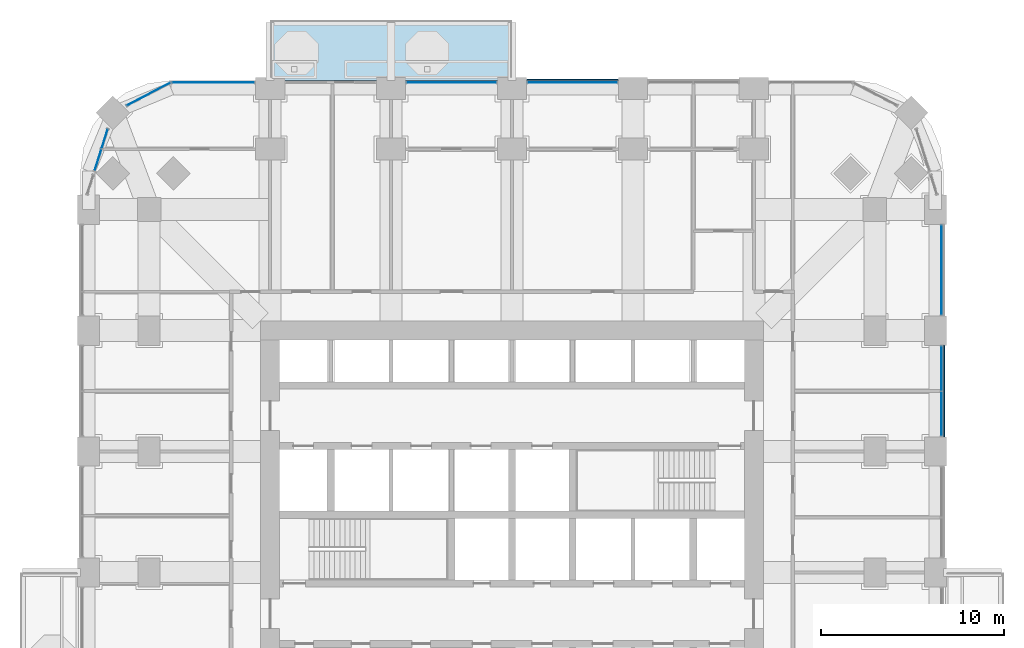
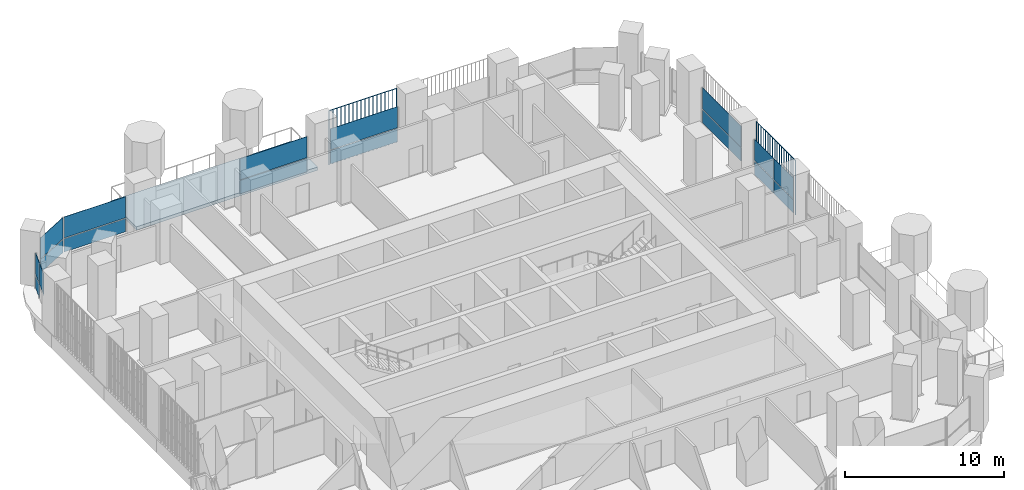
# One storey, part 11 of 21: 19 plates, 1 slab, 7 elements without a shape of their own.
"""IFC4 building model written with IfcOpenShell, lengths in metres."""

import ifcopenshell
import ifcopenshell.guid

model = None  # the IFC model being written
_history = None  # IfcOwnerHistory: only IFC2X3 demands one
_inside = {}  # id of a spatial element -> (the spatial element, [elements in it])
_under = {}  # id of a project, library or spatial element -> (it, [spatial elements below it])
_declared = {}  # id of a project -> (the project, [libraries it declares])
_typed = {}  # id of a type object -> (the type object, [elements of that type])
_made_of = {}  # id of a material, layer set ... -> (it, [elements and type objects made of it])


def new_model(schema):
    """Start an empty IFC model of exactly this schema.

    Asked for "IFC4X3", IfcOpenShell would pick the latest addendum, in which some entities
    have other attributes; the version numbers below select the first issue.
    IFC2X3 requires an IfcOwnerHistory on every rooted entity: one is made here for all.
    """
    global model, _history
    if schema == "IFC4X3":
        model = ifcopenshell.file(schema_version=(4, 3, 0, 0))
    else:
        model = ifcopenshell.file(schema=schema)
    _inside.clear()
    _under.clear()
    _declared.clear()
    _typed.clear()
    _made_of.clear()
    _history = None
    if model.schema == "IFC2X3":
        org = make("IfcOrganization", Name="unknown")
        user = make(
            "IfcPersonAndOrganization",
            ThePerson=make("IfcPerson", FamilyName="unknown"),
            TheOrganization=org,
        )
        app = make(
            "IfcApplication",
            ApplicationDeveloper=org,
            Version="unknown",
            ApplicationFullName="unknown",
            ApplicationIdentifier="unknown",
        )
        _history = make(
            "IfcOwnerHistory",
            OwningUser=user,
            OwningApplication=app,
            ChangeAction="ADDED",
            CreationDate=0,
        )
    return model


def make(cls, **values):
    """One entity of the class cls with the attributes given. An attribute that is None is left unset."""
    return model.create_entity(
        cls, **{name: value for name, value in values.items() if value is not None}
    )


def rooted(cls, **values):
    """An entity with a GlobalId (a new one), such as an element, a storey or a relation."""
    return make(cls, GlobalId=ifcopenshell.guid.new(), OwnerHistory=_history, **values)


def si_unit(unit_type, name, prefix=None):
    """IfcSIUnit, for example si_unit("LENGTHUNIT", "METRE", prefix="MILLI")."""
    return make("IfcSIUnit", UnitType=unit_type, Prefix=prefix, Name=name)


def assignment(units):
    """IfcUnitAssignment: the units of a project."""
    return None if units is None else make("IfcUnitAssignment", Units=units)


def point(xyz):
    """IfcCartesianPoint."""
    return None if xyz is None else make("IfcCartesianPoint", Coordinates=xyz)


def direction(xyz):
    """IfcDirection."""
    return None if xyz is None else make("IfcDirection", DirectionRatios=xyz)


def frame(location, z_axis=None, x_axis=None):
    """IfcAxis2Placement3D, a coordinate frame: its origin and axes. An axis left out is left unset."""
    return make(
        "IfcAxis2Placement3D",
        Location=point(location),
        Axis=direction(z_axis),
        RefDirection=direction(x_axis),
    )


def frame_2d(location, x_axis=None):
    """IfcAxis2Placement2D, a coordinate frame in the plane: its origin and x axis."""
    return make(
        "IfcAxis2Placement2D", Location=point(location), RefDirection=direction(x_axis)
    )


def origin():
    """The frame at (0, 0, 0) with its axes left unset."""
    return frame((0.0, 0.0, 0.0))


def origin_2d():
    """The frame at (0, 0) in the plane with its x axis left unset."""
    return frame_2d((0.0, 0.0))


def place(relative_to, where):
    """IfcLocalPlacement: puts the frame where relative to a parent placement (None: the world)."""
    return make(
        "IfcLocalPlacement", PlacementRelTo=relative_to, RelativePlacement=where
    )


def context(
    kind, dimensions, precision=None, world=None, true_north=None, identifier=None
):
    """IfcGeometricRepresentationContext, for example the 3D "Model" context."""
    return make(
        "IfcGeometricRepresentationContext",
        ContextIdentifier=identifier,
        ContextType=kind,
        CoordinateSpaceDimension=dimensions,
        Precision=precision,
        WorldCoordinateSystem=world,
        TrueNorth=true_north,
    )


def subcontext(parent, identifier, kind, view, scale=None):
    """IfcGeometricRepresentationSubContext, for example "Body" below "Model"."""
    return make(
        "IfcGeometricRepresentationSubContext",
        ContextIdentifier=identifier,
        ContextType=kind,
        ParentContext=parent,
        TargetScale=scale,
        TargetView=view,
    )


def project(units=None, contexts=None):
    """IfcProject with its units and contexts."""
    return rooted(
        "IfcProject",
        Name="project",
        RepresentationContexts=contexts,
        UnitsInContext=assignment(units),
    )


def spatial(cls, under=None, at=None, **own):
    """A site, building, storey or space (cls), placed at a placement, below another one or the project."""
    s = rooted(cls, ObjectPlacement=at, **own)
    if under is not None:
        _under.setdefault(under.id(), (under, []))[1].append(s)
    return s


def polyline(points):
    """IfcPolyline through the points."""
    return make("IfcPolyline", Points=[point(p) for p in points])


def profile(cls, at=None, kind="AREA", **sizes):
    """A parametric profile (cls). Its sizes go by their IFC names, for example OverallWidth=200.0."""
    return make(cls, ProfileType=kind, Position=at, **sizes)


def rectangle(**sizes):
    """IfcRectangleProfileDef."""
    return profile("IfcRectangleProfileDef", **sizes)


def outline(outer, holes=None, kind="AREA"):
    """IfcArbitraryClosedProfileDef: a profile drawn as a closed curve; with holes, ...WithVoids."""
    if holes is None:
        return make("IfcArbitraryClosedProfileDef", ProfileType=kind, OuterCurve=outer)
    return make(
        "IfcArbitraryProfileDefWithVoids",
        ProfileType=kind,
        OuterCurve=outer,
        InnerCurves=holes,
    )


def extrude(swept, where, along, depth):
    """IfcExtrudedAreaSolid: the profile swept, set in the frame where, extruded along a direction by depth."""
    return make(
        "IfcExtrudedAreaSolid",
        SweptArea=swept,
        Position=where,
        ExtrudedDirection=direction(along),
        Depth=depth,
    )


def shape(context_of_items, identifier, shape_type, items):
    """IfcShapeRepresentation: the items that make up one representation, for example the "Body"."""
    return make(
        "IfcShapeRepresentation",
        ContextOfItems=context_of_items,
        RepresentationIdentifier=identifier,
        RepresentationType=shape_type,
        Items=items,
    )


def material(Name=None, Category=None):
    """IfcMaterial."""
    return make("IfcMaterial", Name=Name, Category=Category)


def layer(
    of_material, thickness, ventilated=None, Name=None, Category=None, Priority=None
):
    """IfcMaterialLayer: one layer of a wall or slab, of a material (None: an air gap)."""
    return make(
        "IfcMaterialLayer",
        Material=of_material,
        LayerThickness=thickness,
        IsVentilated=ventilated,
        Name=Name,
        Category=Category,
        Priority=Priority,
    )


def layer_set(layers, Name=None):
    """IfcMaterialLayerSet."""
    return make("IfcMaterialLayerSet", MaterialLayers=layers, LayerSetName=Name)


def made_of(thing, what):
    """Note that an element or type object is made of a material, layer set ...; save() writes the relation."""
    if what is not None:
        _made_of.setdefault(what.id(), (what, []))[1].append(thing)
    return thing


def type_object(cls, material=None, **own):
    """A type object (cls), such as IfcWallType, which elements share."""
    return made_of(rooted(cls, **own), material)


def element(
    cls,
    number,
    at=None,
    inside=None,
    cuts=None,
    type_object=None,
    material=None,
    context=None,
    identifier="Body",
    shape_type=None,
    held_by="IfcProductDefinitionShape",
    body=None,
    shapes=None,
    **own,
):
    """One element of the class cls, such as IfcWall. Its Tag is "e" and its number.

    at: its placement. inside: the storey or other place that contains it. cuts: it is an
    opening in that element (IfcRelVoidsElement). A single representation is given by context,
    identifier, shape_type and body (its items); several are given by shapes. held_by: the class
    of the entity that holds the representations. save() writes the other relations.
    """
    e = rooted(cls, Tag="e%d" % number, ObjectPlacement=at, **own)
    if body is not None:
        shapes = [shape(context, identifier, shape_type, body)]
    if shapes is not None:
        e.Representation = make(held_by, Representations=shapes)
    if inside is not None:
        _inside.setdefault(inside.id(), (inside, []))[1].append(e)
    if cuts is not None:
        rooted(
            "IfcRelVoidsElement", RelatingBuildingElement=cuts, RelatedOpeningElement=e
        )
    if type_object is not None:
        _typed.setdefault(type_object.id(), (type_object, []))[1].append(e)
    return made_of(e, material)


def aggregate(whole, parts):
    """IfcRelAggregates: a whole, such as a stair, and the parts it consists of."""
    return rooted("IfcRelAggregates", RelatingObject=whole, RelatedObjects=parts)


def save(model, path):
    """Write the relations noted so far, then the file.

    IfcRelAggregates (storeys below a building ...), IfcRelContainedInSpatialStructure (elements
    in a storey), IfcRelDefinesByType, IfcRelAssociatesMaterial and IfcRelDeclares: one each for
    every whole, place, type object, material and project.
    """
    for whole, parts in _under.values():
        aggregate(whole, parts)
    for where, things in _inside.values():
        rooted(
            "IfcRelContainedInSpatialStructure",
            RelatedElements=things,
            RelatingStructure=where,
        )
    for kind, things in _typed.values():
        rooted("IfcRelDefinesByType", RelatedObjects=things, RelatingType=kind)
    for what, things in _made_of.values():
        rooted("IfcRelAssociatesMaterial", RelatedObjects=things, RelatingMaterial=what)
    for by, libraries in _declared.values():
        rooted("IfcRelDeclares", RelatingContext=by, RelatedDefinitions=libraries)
    model.write(path)


model = new_model("IFC4")

# Units and contexts
model_context = context("Model", 3, precision=1e-05, world=origin(), true_north=direction((0.0, 1.0)))
body_context = subcontext(model_context, "Body", "Model", "MODEL_VIEW")
ifc_project = project(units=[si_unit("LENGTHUNIT", "METRE"), si_unit("AREAUNIT", "SQUARE_METRE"), si_unit("VOLUMEUNIT", "CUBIC_METRE"), si_unit("PLANEANGLEUNIT", "RADIAN"), si_unit("MASSUNIT", "GRAM", prefix="KILO")], contexts=[model_context])

# Site, building, storey
site_placement = place(None, origin())
site = spatial("IfcSite", under=ifc_project, at=site_placement, CompositionType="ELEMENT")
building_placement = place(site_placement, origin())
building = spatial("IfcBuilding", under=site, at=building_placement, Name="Cobogo Forest Laboratory Tower", CompositionType="ELEMENT")
storey_placement = place(building_placement, frame((0.0, 0.0, 107.39990234375)))
storey = spatial("IfcBuildingStorey", under=building, at=storey_placement, Name="L24", CompositionType="ELEMENT", Elevation=107.39990234375)

# Slab
ifc_material_1 = material(Name="Concrete HA-40 (C40/50)", Category="concrete")
ifc_layer_1 = layer(ifc_material_1, 0.25)
ifc_layer_set_1 = layer_set([ifc_layer_1], Name="Balcony slab 250")
slab_type = type_object("IfcSlabType", Name="Balcony slab 250", PredefinedType="FLOOR", material=ifc_layer_set_1)
slab_placement = place(storey_placement, frame((0.0, 0.0, -0.25)))
element("IfcSlab", 1, at=slab_placement, inside=storey, type_object=slab_type, Name="Balcony BAL-N1 L24", PredefinedType="FLOOR", context=body_context, shape_type="SweptSolid", body=[
    extrude(outline(polyline([(13.199951171875, 46.64990234375), (26.39990234375, 46.64990234375), (26.39990234375, 49.949951171875), (13.199951171875, 49.949951171875), (13.199951171875, 46.64990234375)])), origin(), (0.0, 0.0, 1.0), 0.25),
])

# Curtain wall, plates
ifc_material_2 = material(Name="Aluminium curtain wall", Category="aluminium")
curtain_wall_type = type_object("IfcCurtainWallType", Name="CW-1 unitised curtain wall, clear glazing, laboratory floors zones A and B", PredefinedType="USERDEFINED", material=ifc_material_2)
curtain_wall_1_placement = place(storey_placement, origin())
curtain_wall_1 = element("IfcCurtainWall", 2, at=curtain_wall_1_placement, inside=storey, type_object=curtain_wall_type, Name="Curtain wall 13 L24", ObjectType="UNITISED CURTAIN WALL", PredefinedType="USERDEFINED")
ifc_material_3 = material(Name="Clear insulated glass", Category="glass")
ifc_layer_2 = layer(ifc_material_3, 0.028076171875)
ifc_layer_set_2 = layer_set([ifc_layer_2], Name="GP-1 clear insulated glass unit 28")
plate_type_1 = type_object("IfcPlateType", Name="GP-1 clear insulated glass unit 28", PredefinedType="CURTAIN_PANEL", material=ifc_layer_set_2)
plate_1_placement = place(storey_placement, frame((49.85009765625, 28.465087890625, 0.0), z_axis=(0.0, 0.0, 1.0), x_axis=(0.0, 1.0, 0.0)))
plate_1 = element("IfcPlate", 3, at=plate_1_placement, type_object=plate_type_1, Name="CW-1 panel 1.1", PredefinedType="CURTAIN_PANEL", context=body_context, shape_type="SweptSolid", body=[
    extrude(rectangle(XDim=2.409912109375, YDim=0.028076171875, at=origin_2d()), origin(), (0.0, 0.0, 1.0), 1.02001953125),
])
plate_2_placement = place(storey_placement, frame((49.85009765625, 28.465087890625, 1.080078125), z_axis=(0.0, 0.0, 1.0), x_axis=(0.0, 1.0, 0.0)))
plate_2 = element("IfcPlate", 4, at=plate_2_placement, type_object=plate_type_1, Name="CW-1 panel 1.2", PredefinedType="CURTAIN_PANEL", context=body_context, shape_type="SweptSolid", body=[
    extrude(rectangle(XDim=2.409912109375, YDim=0.028076171875, at=origin_2d()), origin(), (0.0, 0.0, 1.0), 1.6201171875),
])
plate_3_placement = place(storey_placement, frame((49.85009765625, 30.93505859375, 0.0), z_axis=(0.0, 0.0, 1.0), x_axis=(0.0, 1.0, 0.0)))
plate_3 = element("IfcPlate", 5, at=plate_3_placement, type_object=plate_type_1, Name="CW-1 panel 2.1", PredefinedType="CURTAIN_PANEL", context=body_context, shape_type="SweptSolid", body=[
    extrude(rectangle(XDim=2.409912109375, YDim=0.028076171875, at=origin_2d()), origin(), (0.0, 0.0, 1.0), 1.02001953125),
])
plate_4_placement = place(storey_placement, frame((49.85009765625, 30.93505859375, 1.080078125), z_axis=(0.0, 0.0, 1.0), x_axis=(0.0, 1.0, 0.0)))
plate_4 = element("IfcPlate", 6, at=plate_4_placement, type_object=plate_type_1, Name="CW-1 panel 2.2", PredefinedType="CURTAIN_PANEL", context=body_context, shape_type="SweptSolid", body=[
    extrude(rectangle(XDim=2.409912109375, YDim=0.028076171875, at=origin_2d()), origin(), (0.0, 0.0, 1.0), 1.6201171875),
])
aggregate(curtain_wall_1, [plate_1, plate_2, plate_3, plate_4])

curtain_wall_2_placement = place(storey_placement, origin())
curtain_wall_2 = element("IfcCurtainWall", 7, at=curtain_wall_2_placement, inside=storey, type_object=curtain_wall_type, Name="Curtain wall 14 L24", ObjectType="UNITISED CURTAIN WALL", PredefinedType="USERDEFINED")
plate_5_placement = place(storey_placement, frame((49.85009765625, 36.300048828125, 0.0), z_axis=(0.0, 0.0, 1.0), x_axis=(0.0, 1.0, 0.0)))
plate_5 = element("IfcPlate", 8, at=plate_5_placement, type_object=plate_type_1, Name="CW-1 panel 1.1", PredefinedType="CURTAIN_PANEL", context=body_context, shape_type="SweptSolid", body=[
    extrude(rectangle(XDim=4.8798828125, YDim=0.028076171875, at=origin_2d()), origin(), (0.0, 0.0, 1.0), 1.02001953125),
])
plate_6_placement = place(storey_placement, frame((49.85009765625, 36.300048828125, 1.080078125), z_axis=(0.0, 0.0, 1.0), x_axis=(0.0, 1.0, 0.0)))
plate_6 = element("IfcPlate", 9, at=plate_6_placement, type_object=plate_type_1, Name="CW-1 panel 1.2", PredefinedType="CURTAIN_PANEL", context=body_context, shape_type="SweptSolid", body=[
    extrude(rectangle(XDim=4.8798828125, YDim=0.028076171875, at=origin_2d()), origin(), (0.0, 0.0, 1.0), 1.6201171875),
])
aggregate(curtain_wall_2, [plate_5, plate_6])

curtain_wall_3_placement = place(storey_placement, origin())
curtain_wall_3 = element("IfcCurtainWall", 10, at=curtain_wall_3_placement, inside=storey, type_object=curtain_wall_type, Name="Curtain wall 20 L24", ObjectType="UNITISED CURTAIN WALL", PredefinedType="USERDEFINED")
plate_7_placement = place(storey_placement, frame((29.699951171875, 46.550048828125, 0.0), z_axis=(0.0, 0.0, 1.0), x_axis=(-1.0, 0.0, 0.0)))
plate_7 = element("IfcPlate", 11, at=plate_7_placement, type_object=plate_type_1, Name="CW-1 panel 1.1", PredefinedType="CURTAIN_PANEL", context=body_context, shape_type="SweptSolid", body=[
    extrude(rectangle(XDim=4.8798828125, YDim=0.028076171875, at=origin_2d()), origin(), (0.0, 0.0, 1.0), 1.02001953125),
])
plate_8_placement = place(storey_placement, frame((29.699951171875, 46.550048828125, 1.080078125), z_axis=(0.0, 0.0, 1.0), x_axis=(-1.0, 0.0, 0.0)))
plate_8 = element("IfcPlate", 12, at=plate_8_placement, type_object=plate_type_1, Name="CW-1 panel 1.2", PredefinedType="CURTAIN_PANEL", context=body_context, shape_type="SweptSolid", body=[
    extrude(rectangle(XDim=4.8798828125, YDim=0.028076171875, at=origin_2d()), origin(), (0.0, 0.0, 1.0), 1.6201171875),
])
aggregate(curtain_wall_3, [plate_7, plate_8])

curtain_wall_4_placement = place(storey_placement, origin())
curtain_wall_4 = element("IfcCurtainWall", 13, at=curtain_wall_4_placement, inside=storey, type_object=curtain_wall_type, Name="Curtain wall 21 L24", ObjectType="UNITISED CURTAIN WALL", PredefinedType="USERDEFINED")
plate_9_placement = place(storey_placement, frame((23.10009765625, 46.550048828125, 0.0), z_axis=(0.0, 0.0, 1.0), x_axis=(-1.0, 0.0, 0.0)))
plate_9 = element("IfcPlate", 14, at=plate_9_placement, type_object=plate_type_1, Name="CW-1 panel 1.1", PredefinedType="CURTAIN_PANEL", context=body_context, shape_type="SweptSolid", body=[
    extrude(rectangle(XDim=4.8798828125, YDim=0.028076171875, at=origin_2d()), origin(), (0.0, 0.0, 1.0), 1.02001953125),
])
plate_10_placement = place(storey_placement, frame((23.10009765625, 46.550048828125, 1.080078125), z_axis=(0.0, 0.0, 1.0), x_axis=(-1.0, 0.0, 0.0)))
plate_10 = element("IfcPlate", 15, at=plate_10_placement, type_object=plate_type_1, Name="CW-1 panel 1.2", PredefinedType="CURTAIN_PANEL", context=body_context, shape_type="SweptSolid", body=[
    extrude(rectangle(XDim=4.8798828125, YDim=0.028076171875, at=origin_2d()), origin(), (0.0, 0.0, 1.0), 1.6201171875),
])
aggregate(curtain_wall_4, [plate_9, plate_10])

curtain_wall_5_placement = place(storey_placement, origin())
curtain_wall_5 = element("IfcCurtainWall", 16, at=curtain_wall_5_placement, inside=storey, type_object=curtain_wall_type, Name="Curtain wall 23 L24", ObjectType="UNITISED CURTAIN WALL", PredefinedType="USERDEFINED")
plate_11_placement = place(storey_placement, frame((10.10009765625, 46.550048828125, 0.0), z_axis=(0.0, 0.0, 1.0), x_axis=(-1.0, 0.0, 0.0)))
plate_11 = element("IfcPlate", 17, at=plate_11_placement, type_object=plate_type_1, Name="CW-1 panel 1.1", PredefinedType="CURTAIN_PANEL", context=body_context, shape_type="SweptSolid", body=[
    extrude(rectangle(XDim=4.47998046875, YDim=0.028076171875, at=origin_2d()), origin(), (0.0, 0.0, 1.0), 1.02001953125),
])
plate_12_placement = place(storey_placement, frame((10.10009765625, 46.550048828125, 1.080078125), z_axis=(0.0, 0.0, 1.0), x_axis=(-1.0, 0.0, 0.0)))
plate_12 = element("IfcPlate", 18, at=plate_12_placement, type_object=plate_type_1, Name="CW-1 panel 1.2", PredefinedType="CURTAIN_PANEL", context=body_context, shape_type="SweptSolid", body=[
    extrude(rectangle(XDim=4.47998046875, YDim=0.028076171875, at=origin_2d()), origin(), (0.0, 0.0, 1.0), 1.6201171875),
])
aggregate(curtain_wall_5, [plate_11, plate_12])

curtain_wall_6_placement = place(storey_placement, origin())
curtain_wall_6 = element("IfcCurtainWall", 19, at=curtain_wall_6_placement, inside=storey, type_object=curtain_wall_type, Name="Curtain wall 24 L24", ObjectType="UNITISED CURTAIN WALL", PredefinedType="USERDEFINED")
plate_13_placement = place(storey_placement, frame((6.57080078125, 45.90576171875, 0.0), z_axis=(0.0, 0.0, 1.0), x_axis=(-0.885686547075, -0.464283685186, 0.0)))
plate_13 = element("IfcPlate", 20, at=plate_13_placement, type_object=plate_type_1, Name="CW-1 panel 1.1", PredefinedType="CURTAIN_PANEL", context=body_context, shape_type="SweptSolid", body=[
    extrude(rectangle(XDim=2.655517578125, YDim=0.028076171875, at=origin_2d()), origin(), (0.0, 0.0, 1.0), 1.02001953125),
])
plate_14_placement = place(storey_placement, frame((6.57080078125, 45.90576171875, 1.080078125), z_axis=(0.0, 0.0, 1.0), x_axis=(-0.885686547075, -0.464283685186, 0.0)))
plate_14 = element("IfcPlate", 21, at=plate_14_placement, type_object=plate_type_1, Name="CW-1 panel 1.2", PredefinedType="CURTAIN_PANEL", context=body_context, shape_type="SweptSolid", body=[
    extrude(rectangle(XDim=2.655517578125, YDim=0.028076171875, at=origin_2d()), origin(), (0.0, 0.0, 1.0), 1.6201171875),
])
aggregate(curtain_wall_6, [plate_13, plate_14])

curtain_wall_7_placement = place(storey_placement, origin())
curtain_wall_7 = element("IfcCurtainWall", 22, at=curtain_wall_7_placement, inside=storey, type_object=curtain_wall_type, Name="Curtain wall 25 L24", ObjectType="UNITISED CURTAIN WALL", PredefinedType="USERDEFINED")
plate_15_placement = place(storey_placement, frame((4.171875, 43.469482421875, 0.0), z_axis=(0.0, 0.0, 1.0), x_axis=(-0.301135291996, -0.953581425949, 0.0)))
plate_15 = element("IfcPlate", 23, at=plate_15_placement, type_object=plate_type_1, Name="CW-1 panel 1.1", PredefinedType="CURTAIN_PANEL", context=body_context, shape_type="SweptSolid", body=[
    extrude(rectangle(XDim=1.083984375, YDim=0.028076171875, at=origin_2d()), origin(), (0.0, 0.0, 1.0), 1.02001953125),
])
plate_16_placement = place(storey_placement, frame((4.171875, 43.469482421875, 1.080078125), z_axis=(0.0, 0.0, 1.0), x_axis=(-0.301135291996, -0.953581425949, 0.0)))
plate_16 = element("IfcPlate", 24, at=plate_16_placement, type_object=plate_type_1, Name="CW-1 panel 1.2", PredefinedType="CURTAIN_PANEL", context=body_context, shape_type="SweptSolid", body=[
    extrude(rectangle(XDim=1.083984375, YDim=0.028076171875, at=origin_2d()), origin(), (0.0, 0.0, 1.0), 1.6201171875),
])
plate_17_placement = place(storey_placement, frame((3.806396484375, 42.31201171875, 1.080078125), z_axis=(0.0, 0.0, 1.0), x_axis=(-0.301135291996, -0.953581425949, 0.0)))
plate_17 = element("IfcPlate", 25, at=plate_17_placement, type_object=plate_type_1, Name="CW-1 panel 2.2", PredefinedType="CURTAIN_PANEL", context=body_context, shape_type="SweptSolid", body=[
    extrude(rectangle(XDim=1.223876953125, YDim=0.028076171875, at=origin_2d()), origin(), (0.0, 0.0, 1.0), 1.6201171875),
])
aggregate(curtain_wall_7, [plate_15, plate_16, plate_17])

# Plates
ifc_material_4 = material(Name="Terracotta", Category="masonry")
plate_type_2 = type_object("IfcPlateType", Name="TB1 terracotta baguette screen", PredefinedType="USERDEFINED", material=ifc_material_4)
plate_18_placement = place(storey_placement, frame((49.977783203125, 27.231201171875, -0.14990234375)))
element("IfcPlate", 26, at=plate_18_placement, inside=storey, type_object=plate_type_2, Name="Baguette screen E4 L24", ObjectType="BAGUETTE SCREEN", PredefinedType="USERDEFINED", context=body_context, shape_type="SweptSolid", body=[
    extrude(outline(polyline([(0.02880859375, 0.011962890625), (0.011962890625, 0.02880859375), (-0.011962890625, 0.02880859375), (-0.02880859375, 0.011962890625), (-0.02880859375, -0.011962890625), (-0.011962890625, -0.02880859375), (0.011962890625, -0.02880859375), (0.02880859375, -0.011962890625), (0.02880859375, 0.011962890625)])), frame((0.0, 0.0, 4.168701171875), z_axis=(0.0, 1.0, 0.0), x_axis=(-1.0, 0.0, 0.0)), (0.0, 0.0, 1.0), 4.9375),
    extrude(outline(polyline([(0.02880859375, 0.011962890625), (0.011962890625, 0.02880859375), (-0.011962890625, 0.02880859375), (-0.02880859375, 0.011962890625), (-0.02880859375, -0.011962890625), (-0.011962890625, -0.02880859375), (0.011962890625, -0.02880859375), (0.02880859375, -0.011962890625), (0.02880859375, 0.011962890625)])), origin(), (0.0, 0.0, 1.0), 4.137451171875),
    extrude(outline(polyline([(0.02880859375, 0.011962890625), (0.011962890625, 0.02880859375), (-0.011962890625, 0.02880859375), (-0.02880859375, 0.011962890625), (-0.02880859375, -0.011962890625), (-0.011962890625, -0.02880859375), (0.011962890625, -0.02880859375), (0.02880859375, -0.011962890625), (0.02880859375, 0.011962890625)])), frame((0.0, 0.29052734375, 0.0)), (0.0, 0.0, 1.0), 4.137451171875),
    extrude(outline(polyline([(0.02880859375, 0.011962890625), (0.011962890625, 0.02880859375), (-0.011962890625, 0.02880859375), (-0.02880859375, 0.011962890625), (-0.02880859375, -0.011962890625), (-0.011962890625, -0.02880859375), (0.011962890625, -0.02880859375), (0.02880859375, -0.011962890625), (0.02880859375, 0.011962890625)])), frame((0.0, 0.580810546875, 0.0)), (0.0, 0.0, 1.0), 4.137451171875),
    extrude(outline(polyline([(0.02880859375, 0.011962890625), (0.011962890625, 0.02880859375), (-0.011962890625, 0.02880859375), (-0.02880859375, 0.011962890625), (-0.02880859375, -0.011962890625), (-0.011962890625, -0.02880859375), (0.011962890625, -0.02880859375), (0.02880859375, -0.011962890625), (0.02880859375, 0.011962890625)])), frame((0.0, 0.871337890625, 0.0)), (0.0, 0.0, 1.0), 4.137451171875),
    extrude(outline(polyline([(0.02880859375, 0.011962890625), (0.011962890625, 0.02880859375), (-0.011962890625, 0.02880859375), (-0.02880859375, 0.011962890625), (-0.02880859375, -0.011962890625), (-0.011962890625, -0.02880859375), (0.011962890625, -0.02880859375), (0.02880859375, -0.011962890625), (0.02880859375, 0.011962890625)])), frame((0.0, 1.161865234375, 0.0)), (0.0, 0.0, 1.0), 4.137451171875),
    extrude(outline(polyline([(0.02880859375, 0.011962890625), (0.011962890625, 0.02880859375), (-0.011962890625, 0.02880859375), (-0.02880859375, 0.011962890625), (-0.02880859375, -0.011962890625), (-0.011962890625, -0.02880859375), (0.011962890625, -0.02880859375), (0.02880859375, -0.011962890625), (0.02880859375, 0.011962890625)])), frame((0.0, 1.4521484375, 0.0)), (0.0, 0.0, 1.0), 4.137451171875),
    extrude(outline(polyline([(0.02880859375, 0.011962890625), (0.011962890625, 0.02880859375), (-0.011962890625, 0.02880859375), (-0.02880859375, 0.011962890625), (-0.02880859375, -0.011962890625), (-0.011962890625, -0.02880859375), (0.011962890625, -0.02880859375), (0.02880859375, -0.011962890625), (0.02880859375, 0.011962890625)])), frame((0.0, 1.74267578125, 0.0)), (0.0, 0.0, 1.0), 4.137451171875),
    extrude(outline(polyline([(0.02880859375, 0.011962890625), (0.011962890625, 0.02880859375), (-0.011962890625, 0.02880859375), (-0.02880859375, 0.011962890625), (-0.02880859375, -0.011962890625), (-0.011962890625, -0.02880859375), (0.011962890625, -0.02880859375), (0.02880859375, -0.011962890625), (0.02880859375, 0.011962890625)])), frame((0.0, 2.033203125, 0.0)), (0.0, 0.0, 1.0), 4.137451171875),
    extrude(outline(polyline([(0.02880859375, 0.011962890625), (0.011962890625, 0.02880859375), (-0.011962890625, 0.02880859375), (-0.02880859375, 0.011962890625), (-0.02880859375, -0.011962890625), (-0.011962890625, -0.02880859375), (0.011962890625, -0.02880859375), (0.02880859375, -0.011962890625), (0.02880859375, 0.011962890625)])), frame((0.0, 2.323486328125, 0.0)), (0.0, 0.0, 1.0), 4.137451171875),
    extrude(outline(polyline([(0.02880859375, 0.011962890625), (0.011962890625, 0.02880859375), (-0.011962890625, 0.02880859375), (-0.02880859375, 0.011962890625), (-0.02880859375, -0.011962890625), (-0.011962890625, -0.02880859375), (0.011962890625, -0.02880859375), (0.02880859375, -0.011962890625), (0.02880859375, 0.011962890625)])), frame((0.0, 2.614013671875, 0.0)), (0.0, 0.0, 1.0), 4.137451171875),
    extrude(outline(polyline([(0.02880859375, 0.011962890625), (0.011962890625, 0.02880859375), (-0.011962890625, 0.02880859375), (-0.02880859375, 0.011962890625), (-0.02880859375, -0.011962890625), (-0.011962890625, -0.02880859375), (0.011962890625, -0.02880859375), (0.02880859375, -0.011962890625), (0.02880859375, 0.011962890625)])), frame((0.0, 2.904296875, 0.0)), (0.0, 0.0, 1.0), 4.137451171875),
    extrude(outline(polyline([(0.02880859375, 0.011962890625), (0.011962890625, 0.02880859375), (-0.011962890625, 0.02880859375), (-0.02880859375, 0.011962890625), (-0.02880859375, -0.011962890625), (-0.011962890625, -0.02880859375), (0.011962890625, -0.02880859375), (0.02880859375, -0.011962890625), (0.02880859375, 0.011962890625)])), frame((0.0, 3.19482421875, 0.0)), (0.0, 0.0, 1.0), 4.137451171875),
    extrude(outline(polyline([(0.02880859375, 0.011962890625), (0.011962890625, 0.02880859375), (-0.011962890625, 0.02880859375), (-0.02880859375, 0.011962890625), (-0.02880859375, -0.011962890625), (-0.011962890625, -0.02880859375), (0.011962890625, -0.02880859375), (0.02880859375, -0.011962890625), (0.02880859375, 0.011962890625)])), frame((0.0, 3.4853515625, 0.0)), (0.0, 0.0, 1.0), 4.137451171875),
    extrude(outline(polyline([(0.02880859375, 0.011962890625), (0.011962890625, 0.02880859375), (-0.011962890625, 0.02880859375), (-0.02880859375, 0.011962890625), (-0.02880859375, -0.011962890625), (-0.011962890625, -0.02880859375), (0.011962890625, -0.02880859375), (0.02880859375, -0.011962890625), (0.02880859375, 0.011962890625)])), frame((0.0, 3.775634765625, 0.0)), (0.0, 0.0, 1.0), 4.137451171875),
    extrude(outline(polyline([(0.02880859375, 0.011962890625), (0.011962890625, 0.02880859375), (-0.011962890625, 0.02880859375), (-0.02880859375, 0.011962890625), (-0.02880859375, -0.011962890625), (-0.011962890625, -0.02880859375), (0.011962890625, -0.02880859375), (0.02880859375, -0.011962890625), (0.02880859375, 0.011962890625)])), frame((0.0, 4.066162109375, 0.0)), (0.0, 0.0, 1.0), 4.137451171875),
    extrude(outline(polyline([(0.02880859375, 0.011962890625), (0.011962890625, 0.02880859375), (-0.011962890625, 0.02880859375), (-0.02880859375, 0.011962890625), (-0.02880859375, -0.011962890625), (-0.011962890625, -0.02880859375), (0.011962890625, -0.02880859375), (0.02880859375, -0.011962890625), (0.02880859375, 0.011962890625)])), frame((0.0, 4.356689453125, 0.0)), (0.0, 0.0, 1.0), 4.137451171875),
    extrude(outline(polyline([(0.02880859375, 0.011962890625), (0.011962890625, 0.02880859375), (-0.011962890625, 0.02880859375), (-0.02880859375, 0.011962890625), (-0.02880859375, -0.011962890625), (-0.011962890625, -0.02880859375), (0.011962890625, -0.02880859375), (0.02880859375, -0.011962890625), (0.02880859375, 0.011962890625)])), frame((0.0, 4.64697265625, 0.0)), (0.0, 0.0, 1.0), 4.137451171875),
    extrude(outline(polyline([(0.02880859375, 0.011962890625), (0.011962890625, 0.02880859375), (-0.011962890625, 0.02880859375), (-0.02880859375, 0.011962890625), (-0.02880859375, -0.011962890625), (-0.011962890625, -0.02880859375), (0.011962890625, -0.02880859375), (0.02880859375, -0.011962890625), (0.02880859375, 0.011962890625)])), frame((0.0, 4.9375, 0.0)), (0.0, 0.0, 1.0), 4.137451171875),
])
plate_19_placement = place(storey_placement, frame((27.231201171875, 46.677978515625, -0.14990234375)))
element("IfcPlate", 27, at=plate_19_placement, inside=storey, type_object=plate_type_2, Name="Baguette screen N3 L24", ObjectType="BAGUETTE SCREEN", PredefinedType="USERDEFINED", context=body_context, shape_type="SweptSolid", body=[
    extrude(outline(polyline([(0.02880859375, 0.011962890625), (0.011962890625, 0.02880859375), (-0.011962890625, 0.02880859375), (-0.02880859375, 0.011962890625), (-0.02880859375, -0.011962890625), (-0.011962890625, -0.02880859375), (0.011962890625, -0.02880859375), (0.02880859375, -0.011962890625), (0.02880859375, 0.011962890625)])), frame((0.0, 0.0, 4.168701171875), z_axis=(1.0, 0.0, 0.0), x_axis=(0.0, 1.0, 0.0)), (0.0, 0.0, 1.0), 4.9375),
    extrude(outline(polyline([(0.02880859375, 0.011962890625), (0.011962890625, 0.02880859375), (-0.011962890625, 0.02880859375), (-0.02880859375, 0.011962890625), (-0.02880859375, -0.011962890625), (-0.011962890625, -0.02880859375), (0.011962890625, -0.02880859375), (0.02880859375, -0.011962890625), (0.02880859375, 0.011962890625)])), origin(), (0.0, 0.0, 1.0), 4.137451171875),
    extrude(outline(polyline([(0.02880859375, 0.011962890625), (0.011962890625, 0.02880859375), (-0.011962890625, 0.02880859375), (-0.02880859375, 0.011962890625), (-0.02880859375, -0.011962890625), (-0.011962890625, -0.02880859375), (0.011962890625, -0.02880859375), (0.02880859375, -0.011962890625), (0.02880859375, 0.011962890625)])), frame((0.29052734375, 0.0, 0.0)), (0.0, 0.0, 1.0), 4.137451171875),
    extrude(outline(polyline([(0.02880859375, 0.011962890625), (0.011962890625, 0.02880859375), (-0.011962890625, 0.02880859375), (-0.02880859375, 0.011962890625), (-0.02880859375, -0.011962890625), (-0.011962890625, -0.02880859375), (0.011962890625, -0.02880859375), (0.02880859375, -0.011962890625), (0.02880859375, 0.011962890625)])), frame((0.580810546875, 0.0, 0.0)), (0.0, 0.0, 1.0), 4.137451171875),
    extrude(outline(polyline([(0.02880859375, 0.011962890625), (0.011962890625, 0.02880859375), (-0.011962890625, 0.02880859375), (-0.02880859375, 0.011962890625), (-0.02880859375, -0.011962890625), (-0.011962890625, -0.02880859375), (0.011962890625, -0.02880859375), (0.02880859375, -0.011962890625), (0.02880859375, 0.011962890625)])), frame((0.871337890625, 0.0, 0.0)), (0.0, 0.0, 1.0), 4.137451171875),
    extrude(outline(polyline([(0.02880859375, 0.011962890625), (0.011962890625, 0.02880859375), (-0.011962890625, 0.02880859375), (-0.02880859375, 0.011962890625), (-0.02880859375, -0.011962890625), (-0.011962890625, -0.02880859375), (0.011962890625, -0.02880859375), (0.02880859375, -0.011962890625), (0.02880859375, 0.011962890625)])), frame((1.161865234375, 0.0, 0.0)), (0.0, 0.0, 1.0), 4.137451171875),
    extrude(outline(polyline([(0.02880859375, 0.011962890625), (0.011962890625, 0.02880859375), (-0.011962890625, 0.02880859375), (-0.02880859375, 0.011962890625), (-0.02880859375, -0.011962890625), (-0.011962890625, -0.02880859375), (0.011962890625, -0.02880859375), (0.02880859375, -0.011962890625), (0.02880859375, 0.011962890625)])), frame((1.4521484375, 0.0, 0.0)), (0.0, 0.0, 1.0), 4.137451171875),
    extrude(outline(polyline([(0.02880859375, 0.011962890625), (0.011962890625, 0.02880859375), (-0.011962890625, 0.02880859375), (-0.02880859375, 0.011962890625), (-0.02880859375, -0.011962890625), (-0.011962890625, -0.02880859375), (0.011962890625, -0.02880859375), (0.02880859375, -0.011962890625), (0.02880859375, 0.011962890625)])), frame((1.74267578125, 0.0, 0.0)), (0.0, 0.0, 1.0), 4.137451171875),
    extrude(outline(polyline([(0.02880859375, 0.011962890625), (0.011962890625, 0.02880859375), (-0.011962890625, 0.02880859375), (-0.02880859375, 0.011962890625), (-0.02880859375, -0.011962890625), (-0.011962890625, -0.02880859375), (0.011962890625, -0.02880859375), (0.02880859375, -0.011962890625), (0.02880859375, 0.011962890625)])), frame((2.033203125, 0.0, 0.0)), (0.0, 0.0, 1.0), 4.137451171875),
    extrude(outline(polyline([(0.02880859375, 0.011962890625), (0.011962890625, 0.02880859375), (-0.011962890625, 0.02880859375), (-0.02880859375, 0.011962890625), (-0.02880859375, -0.011962890625), (-0.011962890625, -0.02880859375), (0.011962890625, -0.02880859375), (0.02880859375, -0.011962890625), (0.02880859375, 0.011962890625)])), frame((2.323486328125, 0.0, 0.0)), (0.0, 0.0, 1.0), 4.137451171875),
    extrude(outline(polyline([(0.02880859375, 0.011962890625), (0.011962890625, 0.02880859375), (-0.011962890625, 0.02880859375), (-0.02880859375, 0.011962890625), (-0.02880859375, -0.011962890625), (-0.011962890625, -0.02880859375), (0.011962890625, -0.02880859375), (0.02880859375, -0.011962890625), (0.02880859375, 0.011962890625)])), frame((2.614013671875, 0.0, 0.0)), (0.0, 0.0, 1.0), 4.137451171875),
    extrude(outline(polyline([(0.02880859375, 0.011962890625), (0.011962890625, 0.02880859375), (-0.011962890625, 0.02880859375), (-0.02880859375, 0.011962890625), (-0.02880859375, -0.011962890625), (-0.011962890625, -0.02880859375), (0.011962890625, -0.02880859375), (0.02880859375, -0.011962890625), (0.02880859375, 0.011962890625)])), frame((2.904296875, 0.0, 0.0)), (0.0, 0.0, 1.0), 4.137451171875),
    extrude(outline(polyline([(0.02880859375, 0.011962890625), (0.011962890625, 0.02880859375), (-0.011962890625, 0.02880859375), (-0.02880859375, 0.011962890625), (-0.02880859375, -0.011962890625), (-0.011962890625, -0.02880859375), (0.011962890625, -0.02880859375), (0.02880859375, -0.011962890625), (0.02880859375, 0.011962890625)])), frame((3.19482421875, 0.0, 0.0)), (0.0, 0.0, 1.0), 4.137451171875),
    extrude(outline(polyline([(0.02880859375, 0.011962890625), (0.011962890625, 0.02880859375), (-0.011962890625, 0.02880859375), (-0.02880859375, 0.011962890625), (-0.02880859375, -0.011962890625), (-0.011962890625, -0.02880859375), (0.011962890625, -0.02880859375), (0.02880859375, -0.011962890625), (0.02880859375, 0.011962890625)])), frame((3.4853515625, 0.0, 0.0)), (0.0, 0.0, 1.0), 4.137451171875),
    extrude(outline(polyline([(0.02880859375, 0.011962890625), (0.011962890625, 0.02880859375), (-0.011962890625, 0.02880859375), (-0.02880859375, 0.011962890625), (-0.02880859375, -0.011962890625), (-0.011962890625, -0.02880859375), (0.011962890625, -0.02880859375), (0.02880859375, -0.011962890625), (0.02880859375, 0.011962890625)])), frame((3.775634765625, 0.0, 0.0)), (0.0, 0.0, 1.0), 4.137451171875),
    extrude(outline(polyline([(0.02880859375, 0.011962890625), (0.011962890625, 0.02880859375), (-0.011962890625, 0.02880859375), (-0.02880859375, 0.011962890625), (-0.02880859375, -0.011962890625), (-0.011962890625, -0.02880859375), (0.011962890625, -0.02880859375), (0.02880859375, -0.011962890625), (0.02880859375, 0.011962890625)])), frame((4.066162109375, 0.0, 0.0)), (0.0, 0.0, 1.0), 4.137451171875),
    extrude(outline(polyline([(0.02880859375, 0.011962890625), (0.011962890625, 0.02880859375), (-0.011962890625, 0.02880859375), (-0.02880859375, 0.011962890625), (-0.02880859375, -0.011962890625), (-0.011962890625, -0.02880859375), (0.011962890625, -0.02880859375), (0.02880859375, -0.011962890625), (0.02880859375, 0.011962890625)])), frame((4.356689453125, 0.0, 0.0)), (0.0, 0.0, 1.0), 4.137451171875),
    extrude(outline(polyline([(0.02880859375, 0.011962890625), (0.011962890625, 0.02880859375), (-0.011962890625, 0.02880859375), (-0.02880859375, 0.011962890625), (-0.02880859375, -0.011962890625), (-0.011962890625, -0.02880859375), (0.011962890625, -0.02880859375), (0.02880859375, -0.011962890625), (0.02880859375, 0.011962890625)])), frame((4.64697265625, 0.0, 0.0)), (0.0, 0.0, 1.0), 4.137451171875),
    extrude(outline(polyline([(0.02880859375, 0.011962890625), (0.011962890625, 0.02880859375), (-0.011962890625, 0.02880859375), (-0.02880859375, 0.011962890625), (-0.02880859375, -0.011962890625), (-0.011962890625, -0.02880859375), (0.011962890625, -0.02880859375), (0.02880859375, -0.011962890625), (0.02880859375, 0.011962890625)])), frame((4.9375, 0.0, 0.0)), (0.0, 0.0, 1.0), 4.137451171875),
])

save(model, "model.ifc")
